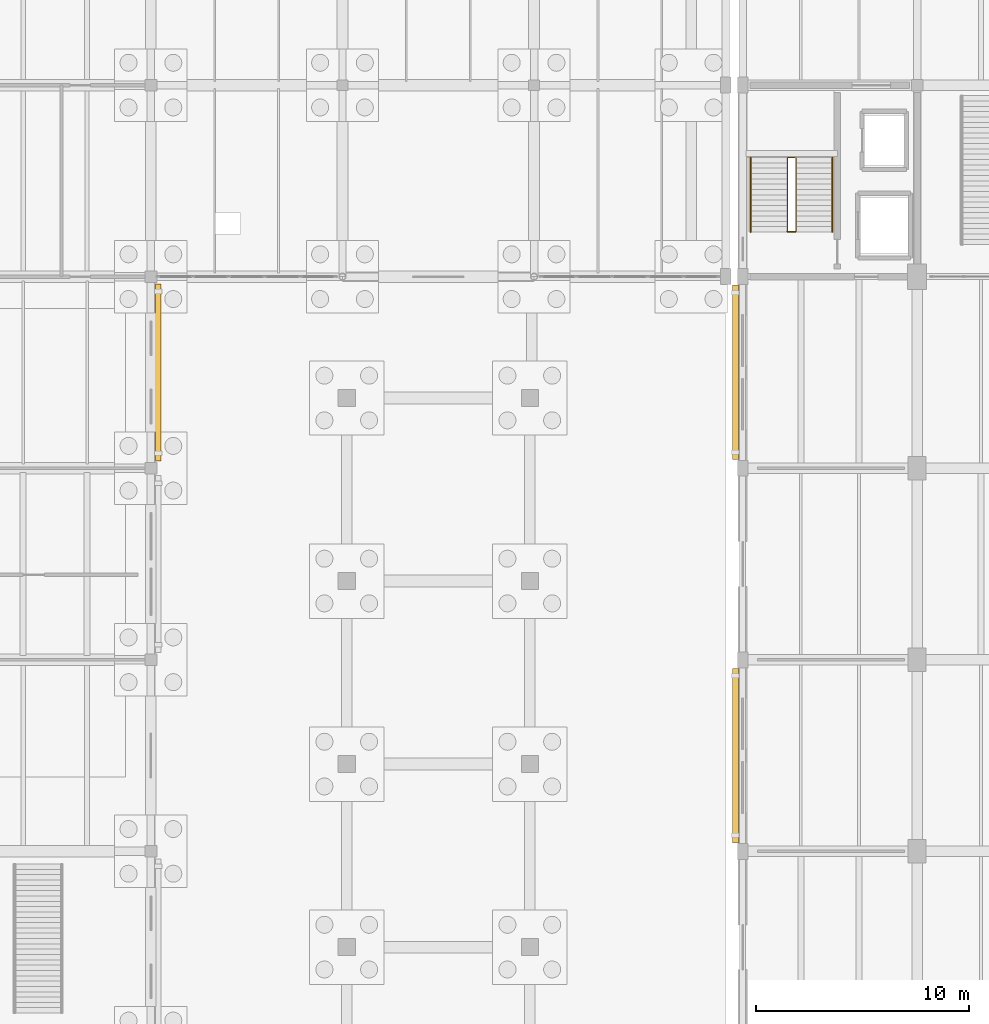
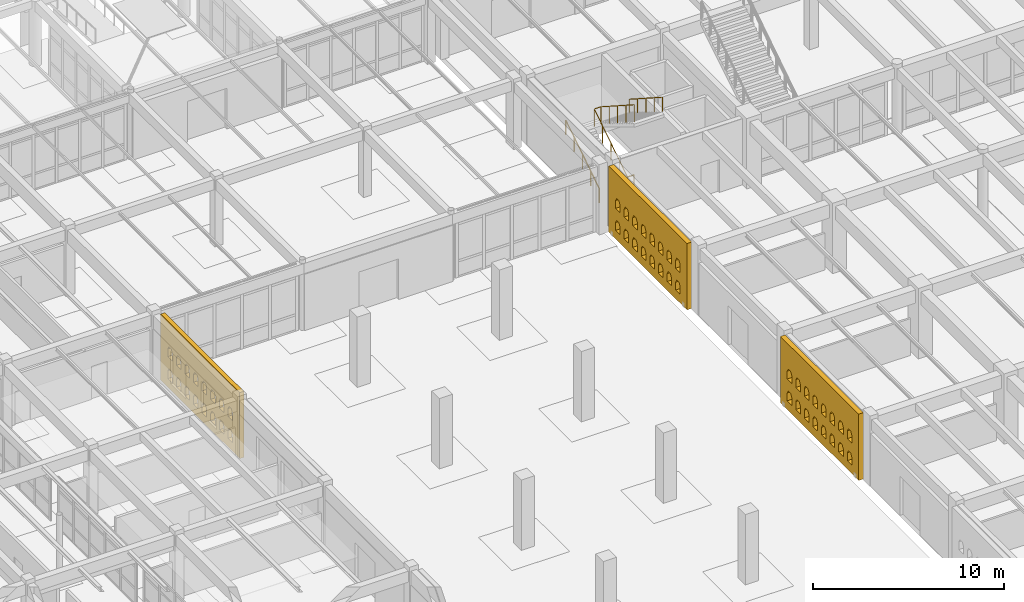
# One storey, part 181 of 186: 4 railings, 3 coverings.
"""IFC4 building model written with IfcOpenShell, lengths in metres."""

from ifc_helpers import new_model, si_unit, direction, frame, origin, origin_2d, place, context, subcontext, project, spatial, polyline, circle, outline, extrude, material, layer, layer_set, type_object, element, save


model = new_model("IFC4")

# Units and contexts
model_context = context("Model", 3, precision=1e-05, world=origin(), true_north=direction((0.0, 1.0)))
body_context = subcontext(model_context, "Body", "Model", "MODEL_VIEW")
ifc_project = project(units=[si_unit("LENGTHUNIT", "METRE"), si_unit("AREAUNIT", "SQUARE_METRE"), si_unit("VOLUMEUNIT", "CUBIC_METRE"), si_unit("PLANEANGLEUNIT", "RADIAN"), si_unit("MASSUNIT", "GRAM", prefix="KILO")], contexts=[model_context])

# Site, building, storey
site_placement = place(None, origin())
site = spatial("IfcSite", under=ifc_project, at=site_placement, CompositionType="ELEMENT")
building_placement = place(site_placement, origin())
building = spatial("IfcBuilding", under=site, at=building_placement, Name="Ornek Quay Market", CompositionType="ELEMENT")
storey_placement = place(building_placement, origin())
storey = spatial("IfcBuildingStorey", under=building, at=storey_placement, Name="L00", CompositionType="ELEMENT", Elevation=0.0)

# Coverings
ifc_material_1 = material(Name="Frost-resistant facing clay brick M200 F100", Category="masonry")
ifc_layer_1 = layer(ifc_material_1, 0.25, Name="Frost-resistant facing clay brick M200 F100", Category="masonry")
ifc_layer_set_1 = layer_set([ifc_layer_1], Name="Frost-resistant facing clay brick M200 F100")
covering_type_1 = type_object("IfcCoveringType", Name="COV-BRICK-LATTICE-250", PredefinedType="CLADDING", material=ifc_layer_set_1)
covering_1_placement = place(storey_placement, frame((27.340087890625, 83.35009765625, 0.0), z_axis=(0.0, 0.0, 1.0), x_axis=(0.0, 1.0, 0.0)))
element("IfcCovering", 1, at=covering_1_placement, inside=storey, type_object=covering_type_1, Name="Arched brick lattice screen BLS-011", PredefinedType="CLADDING", context=body_context, shape_type="SweptSolid", body=[
    extrude(outline(polyline([(0.0, 0.0), (8.2998046875, 0.0), (8.2998046875, 4.219970703125), (0.0, 4.219970703125), (0.0, 0.0)]), holes=[polyline([(0.760009765625, 0.550048828125), (1.239990234375, 0.550048828125), (1.239990234375, 1.050048828125), (1.1201171875, 1.2578125), (0.8798828125, 1.2578125), (0.760009765625, 1.050048828125), (0.760009765625, 0.550048828125)]), polyline([(0.760009765625, 1.949951171875), (1.239990234375, 1.949951171875), (1.239990234375, 2.449951171875), (1.1201171875, 2.65771484375), (0.8798828125, 2.65771484375), (0.760009765625, 2.449951171875), (0.760009765625, 1.949951171875)]), polyline([(1.659912109375, 0.550048828125), (2.139892578125, 0.550048828125), (2.139892578125, 1.050048828125), (2.02001953125, 1.2578125), (1.780029296875, 1.2578125), (1.659912109375, 1.050048828125), (1.659912109375, 0.550048828125)]), polyline([(1.659912109375, 1.949951171875), (2.139892578125, 1.949951171875), (2.139892578125, 2.449951171875), (2.02001953125, 2.65771484375), (1.780029296875, 2.65771484375), (1.659912109375, 2.449951171875), (1.659912109375, 1.949951171875)]), polyline([(2.56005859375, 0.550048828125), (3.0400390625, 0.550048828125), (3.0400390625, 1.050048828125), (2.919921875, 1.2578125), (2.679931640625, 1.2578125), (2.56005859375, 1.050048828125), (2.56005859375, 0.550048828125)]), polyline([(2.56005859375, 1.949951171875), (3.0400390625, 1.949951171875), (3.0400390625, 2.449951171875), (2.919921875, 2.65771484375), (2.679931640625, 2.65771484375), (2.56005859375, 2.449951171875), (2.56005859375, 1.949951171875)]), polyline([(3.4599609375, 0.550048828125), (3.93994140625, 0.550048828125), (3.93994140625, 1.050048828125), (3.820068359375, 1.2578125), (3.580078125, 1.2578125), (3.4599609375, 1.050048828125), (3.4599609375, 0.550048828125)]), polyline([(3.4599609375, 1.949951171875), (3.93994140625, 1.949951171875), (3.93994140625, 2.449951171875), (3.820068359375, 2.65771484375), (3.580078125, 2.65771484375), (3.4599609375, 2.449951171875), (3.4599609375, 1.949951171875)]), polyline([(4.360107421875, 0.550048828125), (4.840087890625, 0.550048828125), (4.840087890625, 1.050048828125), (4.719970703125, 1.2578125), (4.47998046875, 1.2578125), (4.360107421875, 1.050048828125), (4.360107421875, 0.550048828125)]), polyline([(4.360107421875, 1.949951171875), (4.840087890625, 1.949951171875), (4.840087890625, 2.449951171875), (4.719970703125, 2.65771484375), (4.47998046875, 2.65771484375), (4.360107421875, 2.449951171875), (4.360107421875, 1.949951171875)]), polyline([(5.260009765625, 0.550048828125), (5.739990234375, 0.550048828125), (5.739990234375, 1.050048828125), (5.6201171875, 1.2578125), (5.3798828125, 1.2578125), (5.260009765625, 1.050048828125), (5.260009765625, 0.550048828125)]), polyline([(5.260009765625, 1.949951171875), (5.739990234375, 1.949951171875), (5.739990234375, 2.449951171875), (5.6201171875, 2.65771484375), (5.3798828125, 2.65771484375), (5.260009765625, 2.449951171875), (5.260009765625, 1.949951171875)]), polyline([(6.159912109375, 0.550048828125), (6.639892578125, 0.550048828125), (6.639892578125, 1.050048828125), (6.52001953125, 1.2578125), (6.280029296875, 1.2578125), (6.159912109375, 1.050048828125), (6.159912109375, 0.550048828125)]), polyline([(6.159912109375, 1.949951171875), (6.639892578125, 1.949951171875), (6.639892578125, 2.449951171875), (6.52001953125, 2.65771484375), (6.280029296875, 2.65771484375), (6.159912109375, 2.449951171875), (6.159912109375, 1.949951171875)]), polyline([(7.06005859375, 0.550048828125), (7.5400390625, 0.550048828125), (7.5400390625, 1.050048828125), (7.419921875, 1.2578125), (7.179931640625, 1.2578125), (7.06005859375, 1.050048828125), (7.06005859375, 0.550048828125)]), polyline([(7.06005859375, 1.949951171875), (7.5400390625, 1.949951171875), (7.5400390625, 2.449951171875), (7.419921875, 2.65771484375), (7.179931640625, 2.65771484375), (7.06005859375, 2.449951171875), (7.06005859375, 1.949951171875)])]), frame((0.0, 0.125, 0.0), z_axis=(0.0, -1.0, 0.0), x_axis=(1.0, 0.0, 0.0)), (0.0, 0.0, 1.0), 0.25),
])
ifc_layer_2 = layer(ifc_material_1, 0.2900390625, Name="Frost-resistant facing clay brick M200 F100", Category="masonry")
ifc_layer_set_2 = layer_set([ifc_layer_2], Name="Frost-resistant facing clay brick M200 F100")
covering_type_2 = type_object("IfcCoveringType", Name="COV-BRICK-LATTICE-290", PredefinedType="CLADDING", material=ifc_layer_set_2)
covering_2_placement = place(storey_placement, frame((54.4599609375, 65.39990234375, 0.0), z_axis=(0.0, 0.0, 1.0), x_axis=(0.0, 1.0, 0.0)))
element("IfcCovering", 2, at=covering_2_placement, inside=storey, type_object=covering_type_2, Name="Arched brick lattice screen BLS-037", PredefinedType="CLADDING", context=body_context, shape_type="SweptSolid", body=[
    extrude(outline(polyline([(0.0, 0.0), (8.2001953125, 0.0), (8.2001953125, 4.239990234375), (0.0, 4.239990234375), (0.0, 0.0)]), holes=[polyline([(0.7099609375, 0.550048828125), (1.18994140625, 0.550048828125), (1.18994140625, 1.050048828125), (1.070068359375, 1.2578125), (0.830078125, 1.2578125), (0.7099609375, 1.050048828125), (0.7099609375, 0.550048828125)]), polyline([(0.7099609375, 1.949951171875), (1.18994140625, 1.949951171875), (1.18994140625, 2.449951171875), (1.070068359375, 2.65771484375), (0.830078125, 2.65771484375), (0.7099609375, 2.449951171875), (0.7099609375, 1.949951171875)]), polyline([(1.610107421875, 0.550048828125), (2.090087890625, 0.550048828125), (2.090087890625, 1.050048828125), (1.969970703125, 1.2578125), (1.72998046875, 1.2578125), (1.610107421875, 1.050048828125), (1.610107421875, 0.550048828125)]), polyline([(1.610107421875, 1.949951171875), (2.090087890625, 1.949951171875), (2.090087890625, 2.449951171875), (1.969970703125, 2.65771484375), (1.72998046875, 2.65771484375), (1.610107421875, 2.449951171875), (1.610107421875, 1.949951171875)]), polyline([(2.510009765625, 0.550048828125), (2.989990234375, 0.550048828125), (2.989990234375, 1.050048828125), (2.8701171875, 1.2578125), (2.6298828125, 1.2578125), (2.510009765625, 1.050048828125), (2.510009765625, 0.550048828125)]), polyline([(2.510009765625, 1.949951171875), (2.989990234375, 1.949951171875), (2.989990234375, 2.449951171875), (2.8701171875, 2.65771484375), (2.6298828125, 2.65771484375), (2.510009765625, 2.449951171875), (2.510009765625, 1.949951171875)]), polyline([(3.409912109375, 0.550048828125), (3.889892578125, 0.550048828125), (3.889892578125, 1.050048828125), (3.77001953125, 1.2578125), (3.530029296875, 1.2578125), (3.409912109375, 1.050048828125), (3.409912109375, 0.550048828125)]), polyline([(3.409912109375, 1.949951171875), (3.889892578125, 1.949951171875), (3.889892578125, 2.449951171875), (3.77001953125, 2.65771484375), (3.530029296875, 2.65771484375), (3.409912109375, 2.449951171875), (3.409912109375, 1.949951171875)]), polyline([(4.31005859375, 0.550048828125), (4.7900390625, 0.550048828125), (4.7900390625, 1.050048828125), (4.669921875, 1.2578125), (4.429931640625, 1.2578125), (4.31005859375, 1.050048828125), (4.31005859375, 0.550048828125)]), polyline([(4.31005859375, 1.949951171875), (4.7900390625, 1.949951171875), (4.7900390625, 2.449951171875), (4.669921875, 2.65771484375), (4.429931640625, 2.65771484375), (4.31005859375, 2.449951171875), (4.31005859375, 1.949951171875)]), polyline([(5.2099609375, 0.550048828125), (5.68994140625, 0.550048828125), (5.68994140625, 1.050048828125), (5.570068359375, 1.2578125), (5.330078125, 1.2578125), (5.2099609375, 1.050048828125), (5.2099609375, 0.550048828125)]), polyline([(5.2099609375, 1.949951171875), (5.68994140625, 1.949951171875), (5.68994140625, 2.449951171875), (5.570068359375, 2.65771484375), (5.330078125, 2.65771484375), (5.2099609375, 2.449951171875), (5.2099609375, 1.949951171875)]), polyline([(6.110107421875, 0.550048828125), (6.590087890625, 0.550048828125), (6.590087890625, 1.050048828125), (6.469970703125, 1.2578125), (6.22998046875, 1.2578125), (6.110107421875, 1.050048828125), (6.110107421875, 0.550048828125)]), polyline([(6.110107421875, 1.949951171875), (6.590087890625, 1.949951171875), (6.590087890625, 2.449951171875), (6.469970703125, 2.65771484375), (6.22998046875, 2.65771484375), (6.110107421875, 2.449951171875), (6.110107421875, 1.949951171875)]), polyline([(7.010009765625, 0.550048828125), (7.489990234375, 0.550048828125), (7.489990234375, 1.050048828125), (7.3701171875, 1.2578125), (7.1298828125, 1.2578125), (7.010009765625, 1.050048828125), (7.010009765625, 0.550048828125)]), polyline([(7.010009765625, 1.949951171875), (7.489990234375, 1.949951171875), (7.489990234375, 2.449951171875), (7.3701171875, 2.65771484375), (7.1298828125, 2.65771484375), (7.010009765625, 2.449951171875), (7.010009765625, 1.949951171875)])]), frame((0.0, 0.14501953125, 0.0), z_axis=(0.0, -1.0, 0.0), x_axis=(1.0, 0.0, 0.0)), (0.0, 0.0, 1.0), 0.2900390625),
])
covering_3_placement = place(storey_placement, frame((54.4599609375, 83.39990234375, 0.0), z_axis=(0.0, 0.0, 1.0), x_axis=(0.0, 1.0, 0.0)))
element("IfcCovering", 3, at=covering_3_placement, inside=storey, type_object=covering_type_2, Name="Arched brick lattice screen BLS-038", PredefinedType="CLADDING", context=body_context, shape_type="SweptSolid", body=[
    extrude(outline(polyline([(0.0, 0.0), (8.2001953125, 0.0), (8.2001953125, 4.239990234375), (0.0, 4.239990234375), (0.0, 0.0)]), holes=[polyline([(0.7099609375, 0.550048828125), (1.18994140625, 0.550048828125), (1.18994140625, 1.050048828125), (1.070068359375, 1.2578125), (0.830078125, 1.2578125), (0.7099609375, 1.050048828125), (0.7099609375, 0.550048828125)]), polyline([(0.7099609375, 1.949951171875), (1.18994140625, 1.949951171875), (1.18994140625, 2.449951171875), (1.070068359375, 2.65771484375), (0.830078125, 2.65771484375), (0.7099609375, 2.449951171875), (0.7099609375, 1.949951171875)]), polyline([(1.610107421875, 0.550048828125), (2.090087890625, 0.550048828125), (2.090087890625, 1.050048828125), (1.969970703125, 1.2578125), (1.72998046875, 1.2578125), (1.610107421875, 1.050048828125), (1.610107421875, 0.550048828125)]), polyline([(1.610107421875, 1.949951171875), (2.090087890625, 1.949951171875), (2.090087890625, 2.449951171875), (1.969970703125, 2.65771484375), (1.72998046875, 2.65771484375), (1.610107421875, 2.449951171875), (1.610107421875, 1.949951171875)]), polyline([(2.510009765625, 0.550048828125), (2.989990234375, 0.550048828125), (2.989990234375, 1.050048828125), (2.8701171875, 1.2578125), (2.6298828125, 1.2578125), (2.510009765625, 1.050048828125), (2.510009765625, 0.550048828125)]), polyline([(2.510009765625, 1.949951171875), (2.989990234375, 1.949951171875), (2.989990234375, 2.449951171875), (2.8701171875, 2.65771484375), (2.6298828125, 2.65771484375), (2.510009765625, 2.449951171875), (2.510009765625, 1.949951171875)]), polyline([(3.409912109375, 0.550048828125), (3.889892578125, 0.550048828125), (3.889892578125, 1.050048828125), (3.77001953125, 1.2578125), (3.530029296875, 1.2578125), (3.409912109375, 1.050048828125), (3.409912109375, 0.550048828125)]), polyline([(3.409912109375, 1.949951171875), (3.889892578125, 1.949951171875), (3.889892578125, 2.449951171875), (3.77001953125, 2.65771484375), (3.530029296875, 2.65771484375), (3.409912109375, 2.449951171875), (3.409912109375, 1.949951171875)]), polyline([(4.31005859375, 0.550048828125), (4.7900390625, 0.550048828125), (4.7900390625, 1.050048828125), (4.669921875, 1.2578125), (4.429931640625, 1.2578125), (4.31005859375, 1.050048828125), (4.31005859375, 0.550048828125)]), polyline([(4.31005859375, 1.949951171875), (4.7900390625, 1.949951171875), (4.7900390625, 2.449951171875), (4.669921875, 2.65771484375), (4.429931640625, 2.65771484375), (4.31005859375, 2.449951171875), (4.31005859375, 1.949951171875)]), polyline([(5.2099609375, 0.550048828125), (5.68994140625, 0.550048828125), (5.68994140625, 1.050048828125), (5.570068359375, 1.2578125), (5.330078125, 1.2578125), (5.2099609375, 1.050048828125), (5.2099609375, 0.550048828125)]), polyline([(5.2099609375, 1.949951171875), (5.68994140625, 1.949951171875), (5.68994140625, 2.449951171875), (5.570068359375, 2.65771484375), (5.330078125, 2.65771484375), (5.2099609375, 2.449951171875), (5.2099609375, 1.949951171875)]), polyline([(6.110107421875, 0.550048828125), (6.590087890625, 0.550048828125), (6.590087890625, 1.050048828125), (6.469970703125, 1.2578125), (6.22998046875, 1.2578125), (6.110107421875, 1.050048828125), (6.110107421875, 0.550048828125)]), polyline([(6.110107421875, 1.949951171875), (6.590087890625, 1.949951171875), (6.590087890625, 2.449951171875), (6.469970703125, 2.65771484375), (6.22998046875, 2.65771484375), (6.110107421875, 2.449951171875), (6.110107421875, 1.949951171875)]), polyline([(7.010009765625, 0.550048828125), (7.489990234375, 0.550048828125), (7.489990234375, 1.050048828125), (7.3701171875, 1.2578125), (7.1298828125, 1.2578125), (7.010009765625, 1.050048828125), (7.010009765625, 0.550048828125)]), polyline([(7.010009765625, 1.949951171875), (7.489990234375, 1.949951171875), (7.489990234375, 2.449951171875), (7.3701171875, 2.65771484375), (7.1298828125, 2.65771484375), (7.010009765625, 2.449951171875), (7.010009765625, 1.949951171875)])]), frame((0.0, 0.14501953125, 0.0), z_axis=(0.0, -1.0, 0.0), x_axis=(1.0, 0.0, 0.0)), (0.0, 0.0, 1.0), 0.2900390625),
])

# Railings
ifc_material_2 = material(Name="Brushed stainless steel 316", Category="steel")
railing_type_1 = type_object("IfcRailingType", Name="RL-GUARD-STAIR-1100", PredefinedType="GUARDRAIL", material=ifc_material_2)
railing_1_placement = place(storey_placement, frame((56.89990234375, 94.1201171875, 0.0)))
element("IfcRailing", 4, at=railing_1_placement, inside=storey, type_object=railing_type_1, Name="Railing GR-03-016", PredefinedType="GUARDRAIL", context=body_context, shape_type="SweptSolid", body=[
    extrude(circle(Radius=0.02392578125, at=origin_2d()), frame((0.0, 0.0, 1.09619140625), z_axis=(1.0, 0.0, 0.0), x_axis=(0.0, 1.0, 0.0)), (0.0, 0.0, 1.0), 0.400146484375),
    extrude(circle(Radius=0.02099609375, at=origin_2d()), origin(), (0.0, 0.0, 1.0), 1.068115234375),
    extrude(circle(Radius=0.02099609375, at=origin_2d()), frame((0.400146484375, 0.0, 0.0)), (0.0, 0.0, 1.0), 1.068115234375),
])
railing_2_placement = place(storey_placement, frame((56.89990234375, 94.095947265625, 0.0)))
element("IfcRailing", 5, at=railing_2_placement, inside=storey, type_object=railing_type_1, Name="Railing GR-03-017", PredefinedType="GUARDRAIL", context=body_context, shape_type="SweptSolid", body=[
    extrude(circle(Radius=0.02392578125, at=origin_2d()), frame((0.0, 0.0, 1.09619140625), z_axis=(0.0, 0.840903622667, 0.541184901292), x_axis=(-1.0, 0.0, 0.0)), (0.0, 0.0, 1.0), 4.12744140625),
    extrude(circle(Radius=0.02392578125, at=origin_2d()), frame((0.030029296875, 3.49609375, 3.34619140625), z_axis=(1.0, 0.0, 0.0), x_axis=(0.0, 1.0, 0.0)), (0.0, 0.0, 1.0), 0.340087890625),
    extrude(circle(Radius=0.02392578125, at=origin_2d()), frame((0.400146484375, 3.470947265625, 3.3623046875), z_axis=(0.0, -0.840610876962, 0.541639505145), x_axis=(1.0, 0.0, 0.0)), (0.0, 0.0, 1.0), 4.1240234375),
    extrude(circle(Radius=0.02099609375, at=origin_2d()), origin(), (0.0, 0.0, 1.0), 1.068115234375),
    extrude(circle(Radius=0.02099609375, at=origin_2d()), frame((0.0, 0.8740234375, 0.5625)), (0.0, 0.0, 1.0), 1.068115234375),
    extrude(circle(Radius=0.02099609375, at=origin_2d()), frame((0.0, 1.748046875, 1.125)), (0.0, 0.0, 1.0), 1.068115234375),
    extrude(circle(Radius=0.02099609375, at=origin_2d()), frame((0.0, 2.6220703125, 1.6875)), (0.0, 0.0, 1.0), 1.068115234375),
    extrude(circle(Radius=0.02099609375, at=origin_2d()), frame((0.0, 3.49609375, 2.25)), (0.0, 0.0, 1.0), 1.068115234375),
    extrude(circle(Radius=0.02099609375, at=origin_2d()), frame((0.400146484375, 3.49609375, 2.25)), (0.0, 0.0, 1.0), 1.068115234375),
    extrude(circle(Radius=0.02099609375, at=origin_2d()), frame((0.400146484375, 2.623046875, 2.8125)), (0.0, 0.0, 1.0), 1.068115234375),
    extrude(circle(Radius=0.02099609375, at=origin_2d()), frame((0.400146484375, 1.75, 3.375)), (0.0, 0.0, 1.0), 1.068115234375),
    extrude(circle(Radius=0.02099609375, at=origin_2d()), frame((0.400146484375, 0.877197265625, 3.9375)), (0.0, 0.0, 1.0), 1.068115234375),
    extrude(circle(Radius=0.02099609375, at=origin_2d()), frame((0.400146484375, 0.004150390625, 4.5)), (0.0, 0.0, 1.0), 1.068115234375),
])
railing_type_2 = type_object("IfcRailingType", Name="RL-HANDRAIL-920", PredefinedType="HANDRAIL", material=ifc_material_2)
railing_3_placement = place(storey_placement, frame((55.179931640625, 94.095947265625, 0.080078125)))
element("IfcRailing", 6, at=railing_3_placement, inside=storey, type_object=railing_type_2, Name="Railing HR-01-018", PredefinedType="HANDRAIL", context=body_context, shape_type="SweptSolid", body=[
    extrude(circle(Radius=0.02392578125, at=origin_2d()), frame((0.0, 0.0, 0.89599609375), z_axis=(0.0, 0.840903622667, 0.541184901292), x_axis=(-1.0, 0.0, 0.0)), (0.0, 0.0, 1.0), 4.157470703125),
    extrude(circle(Radius=0.02099609375, at=origin_2d()), origin(), (0.0, 0.0, 1.0), 0.867919921875),
    extrude(circle(Radius=0.02099609375, at=origin_2d()), frame((0.0, 0.8740234375, 0.5625)), (0.0, 0.0, 1.0), 0.867919921875),
    extrude(circle(Radius=0.02099609375, at=origin_2d()), frame((0.0, 1.748046875, 1.125)), (0.0, 0.0, 1.0), 0.867919921875),
    extrude(circle(Radius=0.02099609375, at=origin_2d()), frame((0.0, 2.6220703125, 1.6875)), (0.0, 0.0, 1.0), 0.867919921875),
    extrude(circle(Radius=0.02099609375, at=origin_2d()), frame((0.0, 3.49609375, 2.25)), (0.0, 0.0, 1.0), 0.867919921875),
])
railing_4_placement = place(storey_placement, frame((59.02001953125, 97.592041015625, 2.330078125)))
element("IfcRailing", 7, at=railing_4_placement, inside=storey, type_object=railing_type_2, Name="Railing HR-01-019", PredefinedType="HANDRAIL", context=body_context, shape_type="SweptSolid", body=[
    extrude(circle(Radius=0.02392578125, at=origin_2d()), frame((0.0, 0.0, 0.89599609375), z_axis=(0.0, -0.840610876962, 0.541639505145), x_axis=(1.0, 0.0, 0.0)), (0.0, 0.0, 1.0), 4.154052734375),
    extrude(circle(Radius=0.02099609375, at=origin_2d()), origin(), (0.0, 0.0, 1.0), 0.867919921875),
    extrude(circle(Radius=0.02099609375, at=origin_2d()), frame((0.0, -0.873046875, 0.5625)), (0.0, 0.0, 1.0), 0.867919921875),
    extrude(circle(Radius=0.02099609375, at=origin_2d()), frame((0.0, -1.74609375, 1.125)), (0.0, 0.0, 1.0), 0.867919921875),
    extrude(circle(Radius=0.02099609375, at=origin_2d()), frame((0.0, -2.618896484375, 1.6875)), (0.0, 0.0, 1.0), 0.867919921875),
    extrude(circle(Radius=0.02099609375, at=origin_2d()), frame((0.0, -3.491943359375, 2.25)), (0.0, 0.0, 1.0), 0.867919921875),
])

save(model, "model.ifc")
